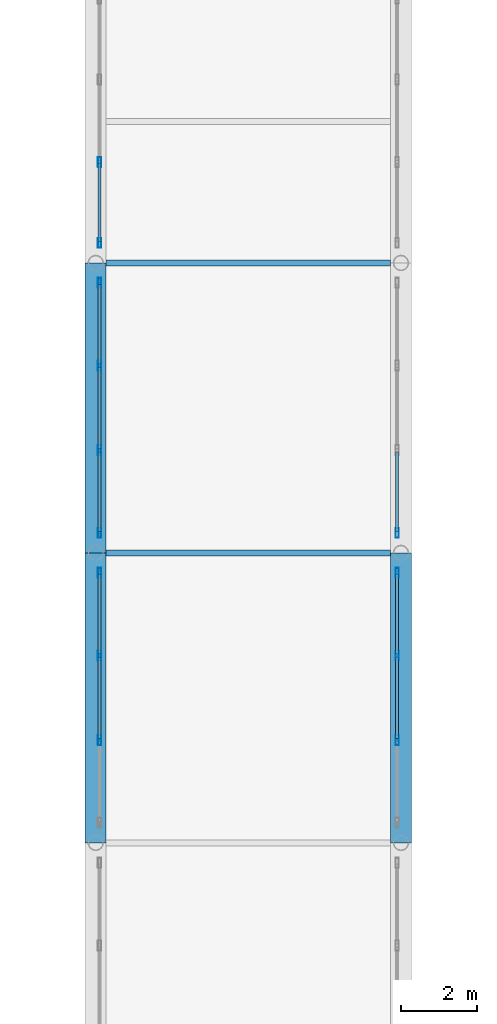
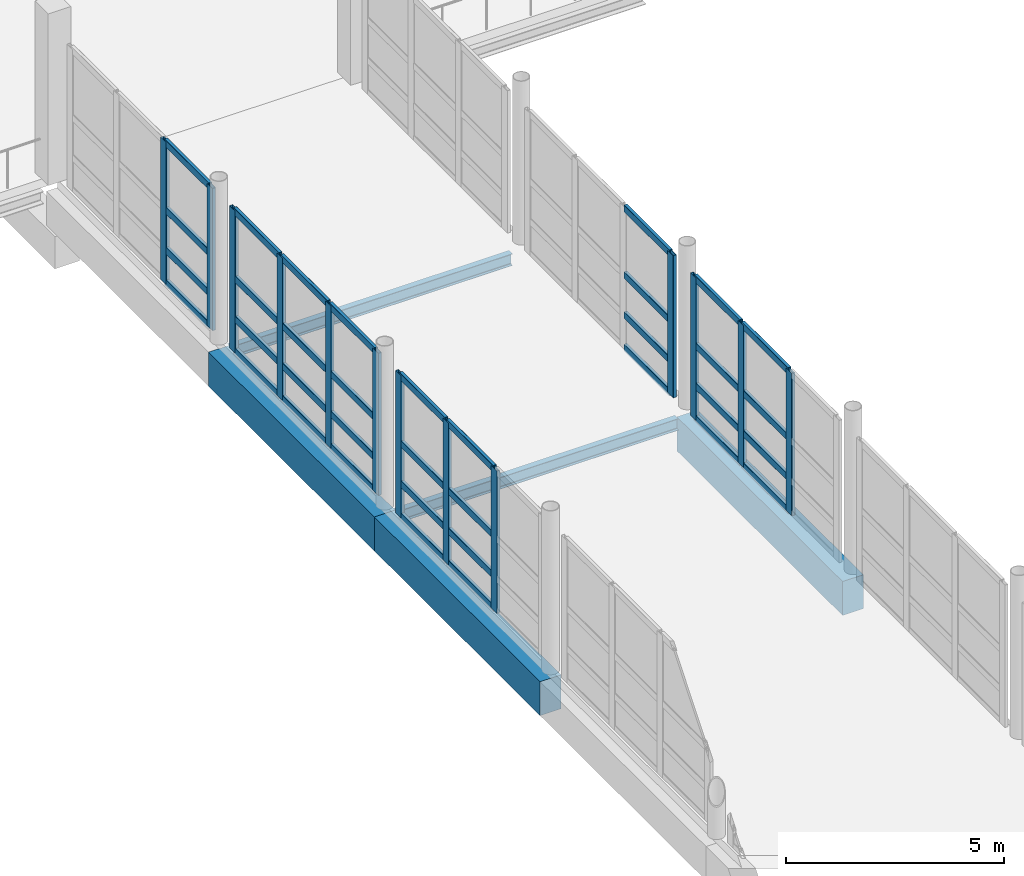
# One storey, part 63 of 141: 49 members, 5 beams, 5 elements without a shape of their own.
"""IFC4 building model written with IfcOpenShell, lengths in metres."""

from ifc_helpers import new_model, si_unit, direction, frame, origin, origin_2d, place, context, subcontext, project, spatial, rectangle, hollow_rectangle, i_section, extrude, material, material_profile, profile_set, type_object, element, aggregate, save


model = new_model("IFC4")

# Units and contexts
model_context = context("Model", 3, precision=1e-05, world=origin(), true_north=direction((0.0, 1.0)))
body_context = subcontext(model_context, "Body", "Model", "MODEL_VIEW")
ifc_project = project(units=[si_unit("LENGTHUNIT", "METRE"), si_unit("AREAUNIT", "SQUARE_METRE"), si_unit("VOLUMEUNIT", "CUBIC_METRE"), si_unit("PLANEANGLEUNIT", "RADIAN"), si_unit("MASSUNIT", "GRAM", prefix="KILO")], contexts=[model_context])

# Site, building, storey
site_placement = place(None, origin())
site = spatial("IfcSite", under=ifc_project, at=site_placement, CompositionType="ELEMENT")
building_placement = place(site_placement, origin())
building = spatial("IfcBuilding", under=site, at=building_placement, Name="Khelvaren Railside Concert Hall", CompositionType="ELEMENT")
storey_placement = place(building_placement, frame((0.0, 0.0, 10.199951171875)))
storey = spatial("IfcBuildingStorey", under=building, at=storey_placement, Name="L02", CompositionType="ELEMENT", Elevation=10.199951171875)

# Curtain wall, members
ifc_material_1 = material(Name="Acoustic laminated crystal facade glass", Category="glass")
curtain_wall_type = type_object("IfcCurtainWallType", Name="CW78", PredefinedType="USERDEFINED", material=ifc_material_1)
curtain_wall_1_placement = place(storey_placement, origin())
curtain_wall_1 = element("IfcCurtainWall", 1, at=curtain_wall_1_placement, inside=storey, type_object=curtain_wall_type, Name="Unitised Curtain Wall CW-LB4-L02-W4", ObjectType="UNITISED CURTAIN WALL", PredefinedType="USERDEFINED")
ifc_material_2 = material(Name="Anodised architectural aluminium 6063-T6", Category="aluminium")
ifc_material_profile_1 = material_profile(ifc_material_2, hollow_rectangle(XDim=0.0849609375, YDim=0.260009765625, WallThickness=0.0048828125, InnerFilletRadius=0.0029296875, OuterFilletRadius=0.0048828125, at=origin_2d()), Name="CWM 85x260x5")
ifc_profile_set_1 = profile_set([ifc_material_profile_1], Name="Anodised architectural aluminium 6063-T6")
member_type_1 = type_object("IfcMemberType", Name="CWM40", PredefinedType="MULLION", material=ifc_profile_set_1)
member_1_placement = place(storey_placement, frame((160.10009765625, 63.493408203125, 0.0), z_axis=(0.0, 0.0, 1.0), x_axis=(-1.0, 0.0, 0.0)))
member_1 = element("IfcMember", 2, at=member_1_placement, type_object=member_type_1, Name="CW78 mullion 2", PredefinedType="MULLION", context=body_context, shape_type="SweptSolid", body=[
    extrude(hollow_rectangle(XDim=0.0849609375, YDim=0.260009765625, WallThickness=0.0048828125, InnerFilletRadius=0.0029296875, OuterFilletRadius=0.0048828125, at=origin_2d()), origin(), (0.0, 0.0, 1.0), 3.97998046875),
])
member_2_placement = place(storey_placement, frame((160.10009765625, 65.706787109375, 0.0), z_axis=(0.0, 0.0, 1.0), x_axis=(-1.0, 0.0, 0.0)))
member_2 = element("IfcMember", 3, at=member_2_placement, type_object=member_type_1, Name="CW78 mullion 3", PredefinedType="MULLION", context=body_context, shape_type="SweptSolid", body=[
    extrude(hollow_rectangle(XDim=0.0849609375, YDim=0.260009765625, WallThickness=0.0048828125, InnerFilletRadius=0.0029296875, OuterFilletRadius=0.0048828125, at=origin_2d()), origin(), (0.0, 0.0, 1.0), 3.97998046875),
])
member_3_placement = place(storey_placement, frame((160.10009765625, 67.87744140625, 0.0), z_axis=(0.0, 0.0, 1.0), x_axis=(-1.0, 0.0, 0.0)))
member_3 = element("IfcMember", 4, at=member_3_placement, type_object=member_type_1, Name="CW78 mullion 4", PredefinedType="MULLION", context=body_context, shape_type="SweptSolid", body=[
    extrude(hollow_rectangle(XDim=0.0849609375, YDim=0.260009765625, WallThickness=0.0048828125, InnerFilletRadius=0.0029296875, OuterFilletRadius=0.0048828125, at=origin_2d()), origin(), (0.0, 0.0, 1.0), 3.97998046875),
])

curtain_wall_2_placement = place(storey_placement, origin())
curtain_wall_2 = element("IfcCurtainWall", 5, at=curtain_wall_2_placement, inside=storey, type_object=curtain_wall_type, Name="Unitised Curtain Wall CW-LB4-L02-E4", ObjectType="UNITISED CURTAIN WALL", PredefinedType="USERDEFINED")
member_4_placement = place(storey_placement, frame((167.89990234375, 67.87744140625, 0.0), z_axis=(0.0, 0.0, 1.0), x_axis=(1.0, 0.0, 0.0)))
member_4 = element("IfcMember", 6, at=member_4_placement, type_object=member_type_1, Name="CW78 mullion 1", PredefinedType="MULLION", context=body_context, shape_type="SweptSolid", body=[
    extrude(hollow_rectangle(XDim=0.0849609375, YDim=0.260009765625, WallThickness=0.0048828125, InnerFilletRadius=0.0029296875, OuterFilletRadius=0.0048828125, at=origin_2d()), origin(), (0.0, 0.0, 1.0), 3.97998046875),
])
member_5_placement = place(storey_placement, frame((167.89990234375, 65.706787109375, 0.0), z_axis=(0.0, 0.0, 1.0), x_axis=(1.0, 0.0, 0.0)))
member_5 = element("IfcMember", 7, at=member_5_placement, type_object=member_type_1, Name="CW78 mullion 2", PredefinedType="MULLION", context=body_context, shape_type="SweptSolid", body=[
    extrude(hollow_rectangle(XDim=0.0849609375, YDim=0.260009765625, WallThickness=0.0048828125, InnerFilletRadius=0.0029296875, OuterFilletRadius=0.0048828125, at=origin_2d()), origin(), (0.0, 0.0, 1.0), 3.97998046875),
])
member_6_placement = place(storey_placement, frame((167.89990234375, 63.493408203125, 0.0), z_axis=(0.0, 0.0, 1.0), x_axis=(1.0, 0.0, 0.0)))
member_6 = element("IfcMember", 8, at=member_6_placement, type_object=member_type_1, Name="CW78 mullion 3", PredefinedType="MULLION", context=body_context, shape_type="SweptSolid", body=[
    extrude(hollow_rectangle(XDim=0.0849609375, YDim=0.260009765625, WallThickness=0.0048828125, InnerFilletRadius=0.0029296875, OuterFilletRadius=0.0048828125, at=origin_2d()), origin(), (0.0, 0.0, 1.0), 3.97998046875),
])

curtain_wall_3_placement = place(storey_placement, origin())
curtain_wall_3 = element("IfcCurtainWall", 9, at=curtain_wall_3_placement, inside=storey, type_object=curtain_wall_type, Name="Unitised Curtain Wall CW-LB4-L02-W5", ObjectType="UNITISED CURTAIN WALL", PredefinedType="USERDEFINED")
member_7_placement = place(storey_placement, frame((160.10009765625, 68.922607421875, 0.0), z_axis=(0.0, 0.0, 1.0), x_axis=(-1.0, 0.0, 0.0)))
member_7 = element("IfcMember", 10, at=member_7_placement, type_object=member_type_1, Name="CW78 mullion 1", PredefinedType="MULLION", context=body_context, shape_type="SweptSolid", body=[
    extrude(hollow_rectangle(XDim=0.0849609375, YDim=0.260009765625, WallThickness=0.0048828125, InnerFilletRadius=0.0029296875, OuterFilletRadius=0.0048828125, at=origin_2d()), origin(), (0.0, 0.0, 1.0), 3.97998046875),
])
member_8_placement = place(storey_placement, frame((160.10009765625, 71.09326171875, 0.0), z_axis=(0.0, 0.0, 1.0), x_axis=(-1.0, 0.0, 0.0)))
member_8 = element("IfcMember", 11, at=member_8_placement, type_object=member_type_1, Name="CW78 mullion 2", PredefinedType="MULLION", context=body_context, shape_type="SweptSolid", body=[
    extrude(hollow_rectangle(XDim=0.0849609375, YDim=0.260009765625, WallThickness=0.0048828125, InnerFilletRadius=0.0029296875, OuterFilletRadius=0.0048828125, at=origin_2d()), origin(), (0.0, 0.0, 1.0), 3.97998046875),
])
member_9_placement = place(storey_placement, frame((160.10009765625, 73.306640625, 0.0), z_axis=(0.0, 0.0, 1.0), x_axis=(-1.0, 0.0, 0.0)))
member_9 = element("IfcMember", 12, at=member_9_placement, type_object=member_type_1, Name="CW78 mullion 3", PredefinedType="MULLION", context=body_context, shape_type="SweptSolid", body=[
    extrude(hollow_rectangle(XDim=0.0849609375, YDim=0.260009765625, WallThickness=0.0048828125, InnerFilletRadius=0.0029296875, OuterFilletRadius=0.0048828125, at=origin_2d()), origin(), (0.0, 0.0, 1.0), 3.97998046875),
])
member_10_placement = place(storey_placement, frame((160.10009765625, 75.4775390625, 0.0), z_axis=(0.0, 0.0, 1.0), x_axis=(-1.0, 0.0, 0.0)))
member_10 = element("IfcMember", 13, at=member_10_placement, type_object=member_type_1, Name="CW78 mullion 4", PredefinedType="MULLION", context=body_context, shape_type="SweptSolid", body=[
    extrude(hollow_rectangle(XDim=0.0849609375, YDim=0.260009765625, WallThickness=0.0048828125, InnerFilletRadius=0.0029296875, OuterFilletRadius=0.0048828125, at=origin_2d()), origin(), (0.0, 0.0, 1.0), 3.97998046875),
])

# Curtain wall, member
curtain_wall_4_placement = place(storey_placement, origin())
curtain_wall_4 = element("IfcCurtainWall", 14, at=curtain_wall_4_placement, inside=storey, type_object=curtain_wall_type, Name="Unitised Curtain Wall CW-LB4-L02-E5", ObjectType="UNITISED CURTAIN WALL", PredefinedType="USERDEFINED")
member_11_placement = place(storey_placement, frame((167.89990234375, 68.922607421875, 0.0), z_axis=(0.0, 0.0, 1.0), x_axis=(1.0, 0.0, 0.0)))
member_11 = element("IfcMember", 15, at=member_11_placement, type_object=member_type_1, Name="CW78 mullion 4", PredefinedType="MULLION", context=body_context, shape_type="SweptSolid", body=[
    extrude(hollow_rectangle(XDim=0.0849609375, YDim=0.260009765625, WallThickness=0.0048828125, InnerFilletRadius=0.0029296875, OuterFilletRadius=0.0048828125, at=origin_2d()), origin(), (0.0, 0.0, 1.0), 3.97998046875),
])

# Curtain wall, members
curtain_wall_5_placement = place(storey_placement, origin())
curtain_wall_5 = element("IfcCurtainWall", 16, at=curtain_wall_5_placement, inside=storey, type_object=curtain_wall_type, Name="Unitised Curtain Wall CW-LB4-L02-W6", ObjectType="UNITISED CURTAIN WALL", PredefinedType="USERDEFINED")
member_12_placement = place(storey_placement, frame((160.10009765625, 76.5224609375, 0.0), z_axis=(0.0, 0.0, 1.0), x_axis=(-1.0, 0.0, 0.0)))
member_12 = element("IfcMember", 17, at=member_12_placement, type_object=member_type_1, Name="CW78 mullion 1", PredefinedType="MULLION", context=body_context, shape_type="SweptSolid", body=[
    extrude(hollow_rectangle(XDim=0.0849609375, YDim=0.260009765625, WallThickness=0.0048828125, InnerFilletRadius=0.0029296875, OuterFilletRadius=0.0048828125, at=origin_2d()), origin(), (0.0, 0.0, 1.0), 3.97998046875),
])
member_13_placement = place(storey_placement, frame((160.10009765625, 78.643310546875, 0.0), z_axis=(0.0, 0.0, 1.0), x_axis=(-1.0, 0.0, 0.0)))
member_13 = element("IfcMember", 18, at=member_13_placement, type_object=member_type_1, Name="CW78 mullion 2", PredefinedType="MULLION", context=body_context, shape_type="SweptSolid", body=[
    extrude(hollow_rectangle(XDim=0.0849609375, YDim=0.260009765625, WallThickness=0.0048828125, InnerFilletRadius=0.0029296875, OuterFilletRadius=0.0048828125, at=origin_2d()), origin(), (0.0, 0.0, 1.0), 3.97998046875),
])

# Member
ifc_material_profile_2 = material_profile(ifc_material_2, hollow_rectangle(XDim=0.0849609375, YDim=0.18994140625, WallThickness=0.0048828125, InnerFilletRadius=0.0029296875, OuterFilletRadius=0.0048828125, at=origin_2d()), Name="CWT 85x190x5")
ifc_profile_set_2 = profile_set([ifc_material_profile_2], Name="Anodised architectural aluminium 6063-T6")
member_type_2 = type_object("IfcMemberType", Name="CWT31", PredefinedType="USERDEFINED", material=ifc_profile_set_2)
member_14_placement = place(storey_placement, frame((160.10009765625, 63.535888671875, 0.04248046875), z_axis=(0.0, 1.0, 0.0), x_axis=(-1.0, 0.0, 0.0)))
member_14 = element("IfcMember", 19, at=member_14_placement, type_object=member_type_2, Name="CW78 transom 2.1", ObjectType="TRANSOM", PredefinedType="USERDEFINED", context=body_context, shape_type="SweptSolid", body=[
    extrude(hollow_rectangle(XDim=0.0849609375, YDim=0.18994140625, WallThickness=0.0048828125, InnerFilletRadius=0.0029296875, OuterFilletRadius=0.0048828125, at=origin_2d()), origin(), (0.0, 0.0, 1.0), 2.128173828125),
])

member_15_placement = place(storey_placement, frame((160.10009765625, 63.535888671875, 0.949951171875), z_axis=(0.0, 1.0, 0.0), x_axis=(-1.0, 0.0, 0.0)))
member_15 = element("IfcMember", 20, at=member_15_placement, type_object=member_type_2, Name="CW78 transom 2.2", ObjectType="TRANSOM", PredefinedType="USERDEFINED", context=body_context, shape_type="SweptSolid", body=[
    extrude(hollow_rectangle(XDim=0.0849609375, YDim=0.18994140625, WallThickness=0.0048828125, InnerFilletRadius=0.0029296875, OuterFilletRadius=0.0048828125, at=origin_2d()), origin(), (0.0, 0.0, 1.0), 2.128173828125),
])

member_16_placement = place(storey_placement, frame((160.10009765625, 63.535888671875, 2.069580078125), z_axis=(0.0, 1.0, 0.0), x_axis=(-1.0, 0.0, 0.0)))
member_16 = element("IfcMember", 21, at=member_16_placement, type_object=member_type_2, Name="CW78 transom 2.3", ObjectType="TRANSOM", PredefinedType="USERDEFINED", context=body_context, shape_type="SweptSolid", body=[
    extrude(hollow_rectangle(XDim=0.0849609375, YDim=0.18994140625, WallThickness=0.0048828125, InnerFilletRadius=0.0029296875, OuterFilletRadius=0.0048828125, at=origin_2d()), origin(), (0.0, 0.0, 1.0), 2.128173828125),
])

member_17_placement = place(storey_placement, frame((160.10009765625, 63.535888671875, 3.9375), z_axis=(0.0, 1.0, 0.0), x_axis=(-1.0, 0.0, 0.0)))
member_17 = element("IfcMember", 22, at=member_17_placement, type_object=member_type_2, Name="CW78 transom 2.4", ObjectType="TRANSOM", PredefinedType="USERDEFINED", context=body_context, shape_type="SweptSolid", body=[
    extrude(hollow_rectangle(XDim=0.0849609375, YDim=0.18994140625, WallThickness=0.0048828125, InnerFilletRadius=0.0029296875, OuterFilletRadius=0.0048828125, at=origin_2d()), origin(), (0.0, 0.0, 1.0), 2.128173828125),
])

member_18_placement = place(storey_placement, frame((160.10009765625, 65.749267578125, 0.04248046875), z_axis=(0.0, 1.0, 0.0), x_axis=(-1.0, 0.0, 0.0)))
member_18 = element("IfcMember", 23, at=member_18_placement, type_object=member_type_2, Name="CW78 transom 3.1", ObjectType="TRANSOM", PredefinedType="USERDEFINED", context=body_context, shape_type="SweptSolid", body=[
    extrude(hollow_rectangle(XDim=0.0849609375, YDim=0.18994140625, WallThickness=0.0048828125, InnerFilletRadius=0.0029296875, OuterFilletRadius=0.0048828125, at=origin_2d()), origin(), (0.0, 0.0, 1.0), 2.085693359375),
])

member_19_placement = place(storey_placement, frame((160.10009765625, 65.749267578125, 0.949951171875), z_axis=(0.0, 1.0, 0.0), x_axis=(-1.0, 0.0, 0.0)))
member_19 = element("IfcMember", 24, at=member_19_placement, type_object=member_type_2, Name="CW78 transom 3.2", ObjectType="TRANSOM", PredefinedType="USERDEFINED", context=body_context, shape_type="SweptSolid", body=[
    extrude(hollow_rectangle(XDim=0.0849609375, YDim=0.18994140625, WallThickness=0.0048828125, InnerFilletRadius=0.0029296875, OuterFilletRadius=0.0048828125, at=origin_2d()), origin(), (0.0, 0.0, 1.0), 2.085693359375),
])

member_20_placement = place(storey_placement, frame((160.10009765625, 65.749267578125, 2.069580078125), z_axis=(0.0, 1.0, 0.0), x_axis=(-1.0, 0.0, 0.0)))
member_20 = element("IfcMember", 25, at=member_20_placement, type_object=member_type_2, Name="CW78 transom 3.3", ObjectType="TRANSOM", PredefinedType="USERDEFINED", context=body_context, shape_type="SweptSolid", body=[
    extrude(hollow_rectangle(XDim=0.0849609375, YDim=0.18994140625, WallThickness=0.0048828125, InnerFilletRadius=0.0029296875, OuterFilletRadius=0.0048828125, at=origin_2d()), origin(), (0.0, 0.0, 1.0), 2.085693359375),
])

member_21_placement = place(storey_placement, frame((160.10009765625, 65.749267578125, 3.9375), z_axis=(0.0, 1.0, 0.0), x_axis=(-1.0, 0.0, 0.0)))
member_21 = element("IfcMember", 26, at=member_21_placement, type_object=member_type_2, Name="CW78 transom 3.4", ObjectType="TRANSOM", PredefinedType="USERDEFINED", context=body_context, shape_type="SweptSolid", body=[
    extrude(hollow_rectangle(XDim=0.0849609375, YDim=0.18994140625, WallThickness=0.0048828125, InnerFilletRadius=0.0029296875, OuterFilletRadius=0.0048828125, at=origin_2d()), origin(), (0.0, 0.0, 1.0), 2.085693359375),
])

aggregate(curtain_wall_1, [member_1, member_2, member_3, member_14, member_15, member_16, member_17, member_18, member_19, member_20, member_21])

member_22_placement = place(storey_placement, frame((167.89990234375, 67.8349609375, 0.04248046875), z_axis=(0.0, -1.0, 0.0), x_axis=(1.0, 0.0, 0.0)))
member_22 = element("IfcMember", 27, at=member_22_placement, type_object=member_type_2, Name="CW78 transom 1.1", ObjectType="TRANSOM", PredefinedType="USERDEFINED", context=body_context, shape_type="SweptSolid", body=[
    extrude(hollow_rectangle(XDim=0.0849609375, YDim=0.18994140625, WallThickness=0.0048828125, InnerFilletRadius=0.0029296875, OuterFilletRadius=0.0048828125, at=origin_2d()), origin(), (0.0, 0.0, 1.0), 2.085693359375),
])

member_23_placement = place(storey_placement, frame((167.89990234375, 67.8349609375, 0.949951171875), z_axis=(0.0, -1.0, 0.0), x_axis=(1.0, 0.0, 0.0)))
member_23 = element("IfcMember", 28, at=member_23_placement, type_object=member_type_2, Name="CW78 transom 1.2", ObjectType="TRANSOM", PredefinedType="USERDEFINED", context=body_context, shape_type="SweptSolid", body=[
    extrude(hollow_rectangle(XDim=0.0849609375, YDim=0.18994140625, WallThickness=0.0048828125, InnerFilletRadius=0.0029296875, OuterFilletRadius=0.0048828125, at=origin_2d()), origin(), (0.0, 0.0, 1.0), 2.085693359375),
])

member_24_placement = place(storey_placement, frame((167.89990234375, 67.8349609375, 2.069580078125), z_axis=(0.0, -1.0, 0.0), x_axis=(1.0, 0.0, 0.0)))
member_24 = element("IfcMember", 29, at=member_24_placement, type_object=member_type_2, Name="CW78 transom 1.3", ObjectType="TRANSOM", PredefinedType="USERDEFINED", context=body_context, shape_type="SweptSolid", body=[
    extrude(hollow_rectangle(XDim=0.0849609375, YDim=0.18994140625, WallThickness=0.0048828125, InnerFilletRadius=0.0029296875, OuterFilletRadius=0.0048828125, at=origin_2d()), origin(), (0.0, 0.0, 1.0), 2.085693359375),
])

member_25_placement = place(storey_placement, frame((167.89990234375, 67.8349609375, 3.9375), z_axis=(0.0, -1.0, 0.0), x_axis=(1.0, 0.0, 0.0)))
member_25 = element("IfcMember", 30, at=member_25_placement, type_object=member_type_2, Name="CW78 transom 1.4", ObjectType="TRANSOM", PredefinedType="USERDEFINED", context=body_context, shape_type="SweptSolid", body=[
    extrude(hollow_rectangle(XDim=0.0849609375, YDim=0.18994140625, WallThickness=0.0048828125, InnerFilletRadius=0.0029296875, OuterFilletRadius=0.0048828125, at=origin_2d()), origin(), (0.0, 0.0, 1.0), 2.085693359375),
])

member_26_placement = place(storey_placement, frame((167.89990234375, 65.6640625, 0.04248046875), z_axis=(0.0, -1.0, 0.0), x_axis=(1.0, 0.0, 0.0)))
member_26 = element("IfcMember", 31, at=member_26_placement, type_object=member_type_2, Name="CW78 transom 2.1", ObjectType="TRANSOM", PredefinedType="USERDEFINED", context=body_context, shape_type="SweptSolid", body=[
    extrude(hollow_rectangle(XDim=0.0849609375, YDim=0.18994140625, WallThickness=0.0048828125, InnerFilletRadius=0.0029296875, OuterFilletRadius=0.0048828125, at=origin_2d()), origin(), (0.0, 0.0, 1.0), 2.128173828125),
])

member_27_placement = place(storey_placement, frame((167.89990234375, 65.6640625, 0.949951171875), z_axis=(0.0, -1.0, 0.0), x_axis=(1.0, 0.0, 0.0)))
member_27 = element("IfcMember", 32, at=member_27_placement, type_object=member_type_2, Name="CW78 transom 2.2", ObjectType="TRANSOM", PredefinedType="USERDEFINED", context=body_context, shape_type="SweptSolid", body=[
    extrude(hollow_rectangle(XDim=0.0849609375, YDim=0.18994140625, WallThickness=0.0048828125, InnerFilletRadius=0.0029296875, OuterFilletRadius=0.0048828125, at=origin_2d()), origin(), (0.0, 0.0, 1.0), 2.128173828125),
])

member_28_placement = place(storey_placement, frame((167.89990234375, 65.6640625, 2.069580078125), z_axis=(0.0, -1.0, 0.0), x_axis=(1.0, 0.0, 0.0)))
member_28 = element("IfcMember", 33, at=member_28_placement, type_object=member_type_2, Name="CW78 transom 2.3", ObjectType="TRANSOM", PredefinedType="USERDEFINED", context=body_context, shape_type="SweptSolid", body=[
    extrude(hollow_rectangle(XDim=0.0849609375, YDim=0.18994140625, WallThickness=0.0048828125, InnerFilletRadius=0.0029296875, OuterFilletRadius=0.0048828125, at=origin_2d()), origin(), (0.0, 0.0, 1.0), 2.128173828125),
])

member_29_placement = place(storey_placement, frame((167.89990234375, 65.6640625, 3.9375), z_axis=(0.0, -1.0, 0.0), x_axis=(1.0, 0.0, 0.0)))
member_29 = element("IfcMember", 34, at=member_29_placement, type_object=member_type_2, Name="CW78 transom 2.4", ObjectType="TRANSOM", PredefinedType="USERDEFINED", context=body_context, shape_type="SweptSolid", body=[
    extrude(hollow_rectangle(XDim=0.0849609375, YDim=0.18994140625, WallThickness=0.0048828125, InnerFilletRadius=0.0029296875, OuterFilletRadius=0.0048828125, at=origin_2d()), origin(), (0.0, 0.0, 1.0), 2.128173828125),
])

aggregate(curtain_wall_2, [member_4, member_5, member_6, member_22, member_23, member_24, member_25, member_26, member_27, member_28, member_29])

member_30_placement = place(storey_placement, frame((160.10009765625, 68.965087890625, 0.04248046875), z_axis=(0.0, 1.0, 0.0), x_axis=(-1.0, 0.0, 0.0)))
member_30 = element("IfcMember", 35, at=member_30_placement, type_object=member_type_2, Name="CW78 transom 1.1", ObjectType="TRANSOM", PredefinedType="USERDEFINED", context=body_context, shape_type="SweptSolid", body=[
    extrude(hollow_rectangle(XDim=0.0849609375, YDim=0.18994140625, WallThickness=0.0048828125, InnerFilletRadius=0.0029296875, OuterFilletRadius=0.0048828125, at=origin_2d()), origin(), (0.0, 0.0, 1.0), 2.085693359375),
])

member_31_placement = place(storey_placement, frame((160.10009765625, 68.965087890625, 0.949951171875), z_axis=(0.0, 1.0, 0.0), x_axis=(-1.0, 0.0, 0.0)))
member_31 = element("IfcMember", 36, at=member_31_placement, type_object=member_type_2, Name="CW78 transom 1.2", ObjectType="TRANSOM", PredefinedType="USERDEFINED", context=body_context, shape_type="SweptSolid", body=[
    extrude(hollow_rectangle(XDim=0.0849609375, YDim=0.18994140625, WallThickness=0.0048828125, InnerFilletRadius=0.0029296875, OuterFilletRadius=0.0048828125, at=origin_2d()), origin(), (0.0, 0.0, 1.0), 2.085693359375),
])

member_32_placement = place(storey_placement, frame((160.10009765625, 68.965087890625, 2.069580078125), z_axis=(0.0, 1.0, 0.0), x_axis=(-1.0, 0.0, 0.0)))
member_32 = element("IfcMember", 37, at=member_32_placement, type_object=member_type_2, Name="CW78 transom 1.3", ObjectType="TRANSOM", PredefinedType="USERDEFINED", context=body_context, shape_type="SweptSolid", body=[
    extrude(hollow_rectangle(XDim=0.0849609375, YDim=0.18994140625, WallThickness=0.0048828125, InnerFilletRadius=0.0029296875, OuterFilletRadius=0.0048828125, at=origin_2d()), origin(), (0.0, 0.0, 1.0), 2.085693359375),
])

member_33_placement = place(storey_placement, frame((160.10009765625, 68.965087890625, 3.9375), z_axis=(0.0, 1.0, 0.0), x_axis=(-1.0, 0.0, 0.0)))
member_33 = element("IfcMember", 38, at=member_33_placement, type_object=member_type_2, Name="CW78 transom 1.4", ObjectType="TRANSOM", PredefinedType="USERDEFINED", context=body_context, shape_type="SweptSolid", body=[
    extrude(hollow_rectangle(XDim=0.0849609375, YDim=0.18994140625, WallThickness=0.0048828125, InnerFilletRadius=0.0029296875, OuterFilletRadius=0.0048828125, at=origin_2d()), origin(), (0.0, 0.0, 1.0), 2.085693359375),
])

member_34_placement = place(storey_placement, frame((160.10009765625, 71.1357421875, 0.04248046875), z_axis=(0.0, 1.0, 0.0), x_axis=(-1.0, 0.0, 0.0)))
member_34 = element("IfcMember", 39, at=member_34_placement, type_object=member_type_2, Name="CW78 transom 2.1", ObjectType="TRANSOM", PredefinedType="USERDEFINED", context=body_context, shape_type="SweptSolid", body=[
    extrude(hollow_rectangle(XDim=0.0849609375, YDim=0.18994140625, WallThickness=0.0048828125, InnerFilletRadius=0.0029296875, OuterFilletRadius=0.0048828125, at=origin_2d()), origin(), (0.0, 0.0, 1.0), 2.12841796875),
])

member_35_placement = place(storey_placement, frame((160.10009765625, 71.1357421875, 0.949951171875), z_axis=(0.0, 1.0, 0.0), x_axis=(-1.0, 0.0, 0.0)))
member_35 = element("IfcMember", 40, at=member_35_placement, type_object=member_type_2, Name="CW78 transom 2.2", ObjectType="TRANSOM", PredefinedType="USERDEFINED", context=body_context, shape_type="SweptSolid", body=[
    extrude(hollow_rectangle(XDim=0.0849609375, YDim=0.18994140625, WallThickness=0.0048828125, InnerFilletRadius=0.0029296875, OuterFilletRadius=0.0048828125, at=origin_2d()), origin(), (0.0, 0.0, 1.0), 2.12841796875),
])

member_36_placement = place(storey_placement, frame((160.10009765625, 71.1357421875, 2.069580078125), z_axis=(0.0, 1.0, 0.0), x_axis=(-1.0, 0.0, 0.0)))
member_36 = element("IfcMember", 41, at=member_36_placement, type_object=member_type_2, Name="CW78 transom 2.3", ObjectType="TRANSOM", PredefinedType="USERDEFINED", context=body_context, shape_type="SweptSolid", body=[
    extrude(hollow_rectangle(XDim=0.0849609375, YDim=0.18994140625, WallThickness=0.0048828125, InnerFilletRadius=0.0029296875, OuterFilletRadius=0.0048828125, at=origin_2d()), origin(), (0.0, 0.0, 1.0), 2.12841796875),
])

member_37_placement = place(storey_placement, frame((160.10009765625, 71.1357421875, 3.9375), z_axis=(0.0, 1.0, 0.0), x_axis=(-1.0, 0.0, 0.0)))
member_37 = element("IfcMember", 42, at=member_37_placement, type_object=member_type_2, Name="CW78 transom 2.4", ObjectType="TRANSOM", PredefinedType="USERDEFINED", context=body_context, shape_type="SweptSolid", body=[
    extrude(hollow_rectangle(XDim=0.0849609375, YDim=0.18994140625, WallThickness=0.0048828125, InnerFilletRadius=0.0029296875, OuterFilletRadius=0.0048828125, at=origin_2d()), origin(), (0.0, 0.0, 1.0), 2.12841796875),
])

member_38_placement = place(storey_placement, frame((160.10009765625, 73.34912109375, 0.04248046875), z_axis=(0.0, 1.0, 0.0), x_axis=(-1.0, 0.0, 0.0)))
member_38 = element("IfcMember", 43, at=member_38_placement, type_object=member_type_2, Name="CW78 transom 3.1", ObjectType="TRANSOM", PredefinedType="USERDEFINED", context=body_context, shape_type="SweptSolid", body=[
    extrude(hollow_rectangle(XDim=0.0849609375, YDim=0.18994140625, WallThickness=0.0048828125, InnerFilletRadius=0.0029296875, OuterFilletRadius=0.0048828125, at=origin_2d()), origin(), (0.0, 0.0, 1.0), 2.0859375),
])

member_39_placement = place(storey_placement, frame((160.10009765625, 73.34912109375, 0.949951171875), z_axis=(0.0, 1.0, 0.0), x_axis=(-1.0, 0.0, 0.0)))
member_39 = element("IfcMember", 44, at=member_39_placement, type_object=member_type_2, Name="CW78 transom 3.2", ObjectType="TRANSOM", PredefinedType="USERDEFINED", context=body_context, shape_type="SweptSolid", body=[
    extrude(hollow_rectangle(XDim=0.0849609375, YDim=0.18994140625, WallThickness=0.0048828125, InnerFilletRadius=0.0029296875, OuterFilletRadius=0.0048828125, at=origin_2d()), origin(), (0.0, 0.0, 1.0), 2.0859375),
])

member_40_placement = place(storey_placement, frame((160.10009765625, 73.34912109375, 2.069580078125), z_axis=(0.0, 1.0, 0.0), x_axis=(-1.0, 0.0, 0.0)))
member_40 = element("IfcMember", 45, at=member_40_placement, type_object=member_type_2, Name="CW78 transom 3.3", ObjectType="TRANSOM", PredefinedType="USERDEFINED", context=body_context, shape_type="SweptSolid", body=[
    extrude(hollow_rectangle(XDim=0.0849609375, YDim=0.18994140625, WallThickness=0.0048828125, InnerFilletRadius=0.0029296875, OuterFilletRadius=0.0048828125, at=origin_2d()), origin(), (0.0, 0.0, 1.0), 2.0859375),
])

member_41_placement = place(storey_placement, frame((160.10009765625, 73.34912109375, 3.9375), z_axis=(0.0, 1.0, 0.0), x_axis=(-1.0, 0.0, 0.0)))
member_41 = element("IfcMember", 46, at=member_41_placement, type_object=member_type_2, Name="CW78 transom 3.4", ObjectType="TRANSOM", PredefinedType="USERDEFINED", context=body_context, shape_type="SweptSolid", body=[
    extrude(hollow_rectangle(XDim=0.0849609375, YDim=0.18994140625, WallThickness=0.0048828125, InnerFilletRadius=0.0029296875, OuterFilletRadius=0.0048828125, at=origin_2d()), origin(), (0.0, 0.0, 1.0), 2.0859375),
])

aggregate(curtain_wall_3, [member_7, member_8, member_9, member_10, member_30, member_31, member_32, member_33, member_34, member_35, member_36, member_37, member_38, member_39, member_40, member_41])

member_42_placement = place(storey_placement, frame((167.89990234375, 71.05078125, 0.04248046875), z_axis=(0.0, -1.0, 0.0), x_axis=(1.0, 0.0, 0.0)))
member_42 = element("IfcMember", 47, at=member_42_placement, type_object=member_type_2, Name="CW78 transom 3.1", ObjectType="TRANSOM", PredefinedType="USERDEFINED", context=body_context, shape_type="SweptSolid", body=[
    extrude(hollow_rectangle(XDim=0.0849609375, YDim=0.18994140625, WallThickness=0.0048828125, InnerFilletRadius=0.0029296875, OuterFilletRadius=0.0048828125, at=origin_2d()), origin(), (0.0, 0.0, 1.0), 2.085693359375),
])

member_43_placement = place(storey_placement, frame((167.89990234375, 71.05078125, 0.949951171875), z_axis=(0.0, -1.0, 0.0), x_axis=(1.0, 0.0, 0.0)))
member_43 = element("IfcMember", 48, at=member_43_placement, type_object=member_type_2, Name="CW78 transom 3.2", ObjectType="TRANSOM", PredefinedType="USERDEFINED", context=body_context, shape_type="SweptSolid", body=[
    extrude(hollow_rectangle(XDim=0.0849609375, YDim=0.18994140625, WallThickness=0.0048828125, InnerFilletRadius=0.0029296875, OuterFilletRadius=0.0048828125, at=origin_2d()), origin(), (0.0, 0.0, 1.0), 2.085693359375),
])

member_44_placement = place(storey_placement, frame((167.89990234375, 71.05078125, 2.069580078125), z_axis=(0.0, -1.0, 0.0), x_axis=(1.0, 0.0, 0.0)))
member_44 = element("IfcMember", 49, at=member_44_placement, type_object=member_type_2, Name="CW78 transom 3.3", ObjectType="TRANSOM", PredefinedType="USERDEFINED", context=body_context, shape_type="SweptSolid", body=[
    extrude(hollow_rectangle(XDim=0.0849609375, YDim=0.18994140625, WallThickness=0.0048828125, InnerFilletRadius=0.0029296875, OuterFilletRadius=0.0048828125, at=origin_2d()), origin(), (0.0, 0.0, 1.0), 2.085693359375),
])

member_45_placement = place(storey_placement, frame((167.89990234375, 71.05078125, 3.9375), z_axis=(0.0, -1.0, 0.0), x_axis=(1.0, 0.0, 0.0)))
member_45 = element("IfcMember", 50, at=member_45_placement, type_object=member_type_2, Name="CW78 transom 3.4", ObjectType="TRANSOM", PredefinedType="USERDEFINED", context=body_context, shape_type="SweptSolid", body=[
    extrude(hollow_rectangle(XDim=0.0849609375, YDim=0.18994140625, WallThickness=0.0048828125, InnerFilletRadius=0.0029296875, OuterFilletRadius=0.0048828125, at=origin_2d()), origin(), (0.0, 0.0, 1.0), 2.085693359375),
])

aggregate(curtain_wall_4, [member_11, member_42, member_43, member_44, member_45])

member_46_placement = place(storey_placement, frame((160.10009765625, 76.56494140625, 0.04248046875), z_axis=(0.0, 1.0, 0.0), x_axis=(-1.0, 0.0, 0.0)))
member_46 = element("IfcMember", 51, at=member_46_placement, type_object=member_type_2, Name="CW78 transom 1.1", ObjectType="TRANSOM", PredefinedType="USERDEFINED", context=body_context, shape_type="SweptSolid", body=[
    extrude(hollow_rectangle(XDim=0.0849609375, YDim=0.18994140625, WallThickness=0.0048828125, InnerFilletRadius=0.0029296875, OuterFilletRadius=0.0048828125, at=origin_2d()), origin(), (0.0, 0.0, 1.0), 2.035888671875),
])

member_47_placement = place(storey_placement, frame((160.10009765625, 76.56494140625, 0.949951171875), z_axis=(0.0, 1.0, 0.0), x_axis=(-1.0, 0.0, 0.0)))
member_47 = element("IfcMember", 52, at=member_47_placement, type_object=member_type_2, Name="CW78 transom 1.2", ObjectType="TRANSOM", PredefinedType="USERDEFINED", context=body_context, shape_type="SweptSolid", body=[
    extrude(hollow_rectangle(XDim=0.0849609375, YDim=0.18994140625, WallThickness=0.0048828125, InnerFilletRadius=0.0029296875, OuterFilletRadius=0.0048828125, at=origin_2d()), origin(), (0.0, 0.0, 1.0), 2.035888671875),
])

member_48_placement = place(storey_placement, frame((160.10009765625, 76.56494140625, 2.069580078125), z_axis=(0.0, 1.0, 0.0), x_axis=(-1.0, 0.0, 0.0)))
member_48 = element("IfcMember", 53, at=member_48_placement, type_object=member_type_2, Name="CW78 transom 1.3", ObjectType="TRANSOM", PredefinedType="USERDEFINED", context=body_context, shape_type="SweptSolid", body=[
    extrude(hollow_rectangle(XDim=0.0849609375, YDim=0.18994140625, WallThickness=0.0048828125, InnerFilletRadius=0.0029296875, OuterFilletRadius=0.0048828125, at=origin_2d()), origin(), (0.0, 0.0, 1.0), 2.035888671875),
])

member_49_placement = place(storey_placement, frame((160.10009765625, 76.56494140625, 3.9375), z_axis=(0.0, 1.0, 0.0), x_axis=(-1.0, 0.0, 0.0)))
member_49 = element("IfcMember", 54, at=member_49_placement, type_object=member_type_2, Name="CW78 transom 1.4", ObjectType="TRANSOM", PredefinedType="USERDEFINED", context=body_context, shape_type="SweptSolid", body=[
    extrude(hollow_rectangle(XDim=0.0849609375, YDim=0.18994140625, WallThickness=0.0048828125, InnerFilletRadius=0.0029296875, OuterFilletRadius=0.0048828125, at=origin_2d()), origin(), (0.0, 0.0, 1.0), 2.035888671875),
])

aggregate(curtain_wall_5, [member_12, member_13, member_46, member_47, member_48, member_49])

# Beams
ifc_material_3 = material(Name="Concrete C40/50", Category="concrete")
ifc_material_profile_3 = material_profile(ifc_material_3, rectangle(XDim=0.550048828125, YDim=0.949951171875, at=origin_2d()), Name="RCB 550x950")
ifc_profile_set_3 = profile_set([ifc_material_profile_3], Name="Concrete C40/50")
beam_type_1 = type_object("IfcBeamType", Name="GR75", PredefinedType="T_BEAM", material=ifc_profile_set_3)
beam_1_placement = place(storey_placement, frame((160.0, 60.800048828125, -0.71484375), z_axis=(0.0, 1.0, 0.0), x_axis=(-1.0, 0.0, 0.0)))
element("IfcBeam", 55, at=beam_1_placement, inside=storey, type_object=beam_type_1, Name="East Backstage Artist Link Bridge L02 Bridge Girder 1.4", PredefinedType="T_BEAM", context=body_context, shape_type="SweptSolid", body=[
    extrude(rectangle(XDim=0.550048828125, YDim=0.949951171875, at=origin_2d()), origin(), (0.0, 0.0, 1.0), 7.599853515625),
])
beam_2_placement = place(storey_placement, frame((160.0, 68.39990234375, -0.71484375), z_axis=(0.0, 1.0, 0.0), x_axis=(-1.0, 0.0, 0.0)))
element("IfcBeam", 56, at=beam_2_placement, inside=storey, type_object=beam_type_1, Name="East Backstage Artist Link Bridge L02 Bridge Girder 1.5", PredefinedType="T_BEAM", context=body_context, shape_type="SweptSolid", body=[
    extrude(rectangle(XDim=0.550048828125, YDim=0.949951171875, at=origin_2d()), origin(), (0.0, 0.0, 1.0), 7.60009765625),
])
beam_3_placement = place(storey_placement, frame((168.0, 60.800048828125, -0.71484375), z_axis=(0.0, 1.0, 0.0), x_axis=(-1.0, 0.0, 0.0)))
element("IfcBeam", 57, at=beam_3_placement, inside=storey, type_object=beam_type_1, Name="East Backstage Artist Link Bridge L02 Bridge Girder 2.4", PredefinedType="T_BEAM", context=body_context, shape_type="SweptSolid", body=[
    extrude(rectangle(XDim=0.550048828125, YDim=0.949951171875, at=origin_2d()), origin(), (0.0, 0.0, 1.0), 7.599853515625),
])
ifc_material_4 = material(Name="Steel S355", Category="steel")
ifc_material_profile_4 = material_profile(ifc_material_4, i_section(OverallWidth=0.159912109375, OverallDepth=0.330078125, WebThickness=0.007568359375, FlangeThickness=0.011474609375, FilletRadius=0.01806640625, at=origin_2d()), Name="IPE 330")
ifc_profile_set_4 = profile_set([ifc_material_profile_4], Name="Steel S355")
beam_type_2 = type_object("IfcBeamType", Name="JS65", PredefinedType="JOIST", material=ifc_profile_set_4)
for number, where, z_axis, x_axis, name in (
    (58, (160.27490234375, 68.39990234375, -0.405029296875), (1.0, 0.0, 0.0), (0.0, 1.0, 0.0), "East Backstage Artist Link Bridge L02 Bridge Cross Joist 4"),
    (59, (160.27490234375, 76.0, -0.405029296875), (1.0, 0.0, 0.0), (0.0, 1.0, 0.0), "East Backstage Artist Link Bridge L02 Bridge Cross Joist 5"),
):
    element("IfcBeam", number, at=place(storey_placement, frame(where, z_axis=z_axis, x_axis=x_axis)), inside=storey, type_object=beam_type_2, Name=name, PredefinedType="JOIST", context=body_context, shape_type="SweptSolid", body=[
        extrude(i_section(OverallWidth=0.159912109375, OverallDepth=0.330078125, WebThickness=0.007568359375, FlangeThickness=0.011474609375, FilletRadius=0.01806640625, at=origin_2d()), origin(), (0.0, 0.0, 1.0), 7.4501953125),
    ])

save(model, "model.ifc")
